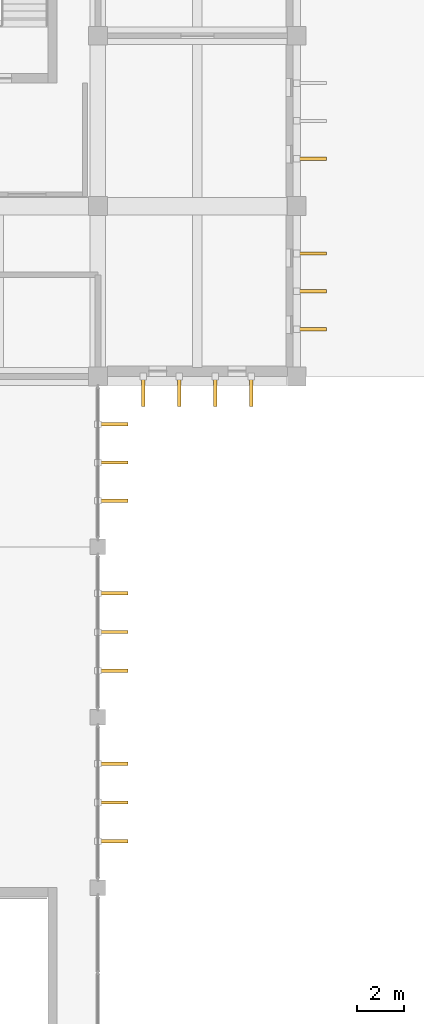
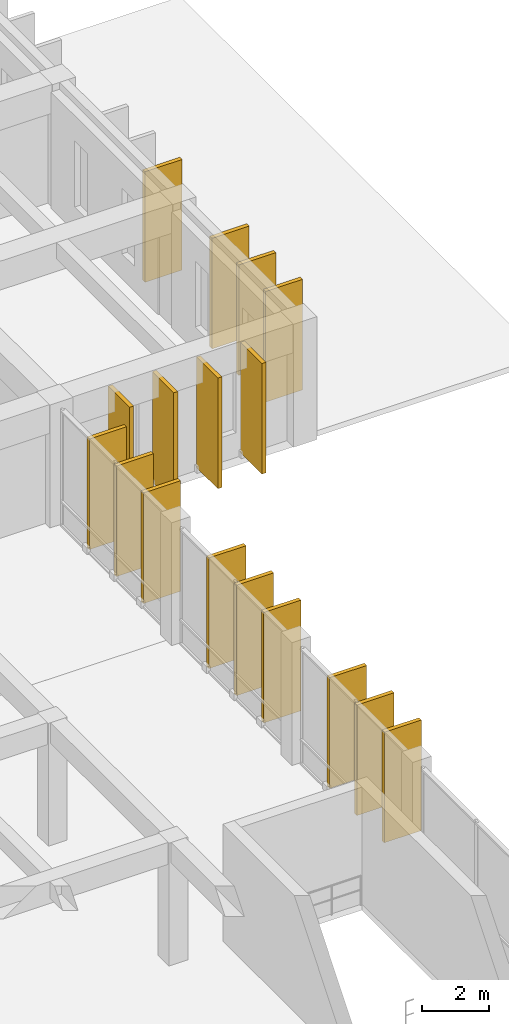
# One storey, part 38 of 40: 17 shading devices.
"""IFC4 building model written with IfcOpenShell, lengths in metres."""

from ifc_helpers import new_model, si_unit, direction, frame, origin, origin_2d, place, context, subcontext, project, spatial, rectangle, extrude, material, type_object, element, save


model = new_model("IFC4")

# Units and contexts
model_context = context("Model", 3, precision=1e-05, world=origin(), true_north=direction((0.0, 1.0)))
body_context = subcontext(model_context, "Body", "Model", "MODEL_VIEW")
ifc_project = project(units=[si_unit("LENGTHUNIT", "METRE"), si_unit("AREAUNIT", "SQUARE_METRE"), si_unit("VOLUMEUNIT", "CUBIC_METRE"), si_unit("PLANEANGLEUNIT", "RADIAN"), si_unit("MASSUNIT", "GRAM", prefix="KILO")], contexts=[model_context])

# Site, building, storey
site_placement = place(None, origin())
site = spatial("IfcSite", under=ifc_project, at=site_placement, CompositionType="ELEMENT")
building_placement = place(site_placement, origin())
building = spatial("IfcBuilding", under=site, at=building_placement, Name="Kenerak Square Central Library", CompositionType="ELEMENT")
storey_placement = place(building_placement, frame((0.0, 0.0, 14.39990234375)))
storey = spatial("IfcBuildingStorey", under=building, at=storey_placement, Name="L03", CompositionType="ELEMENT", Elevation=14.39990234375)

# Shading devices
ifc_material = material(Name="White precast concrete C40/50", Category="concrete")
shading_device_type = type_object("IfcShadingDeviceType", Name="Precast Vertical Solar Fin SF-1280 C40/50", PredefinedType="USERDEFINED", material=ifc_material)
for number, where, z_axis, x_axis, name in (
    (1, (126.219970703125, 98.0, 0.10009765625), (0.0, 0.0, 1.0), (0.0, -1.0, 0.0), "Precast Solar Fin FIN-01 L03 0268"),
    (2, (126.219970703125, 94.0, 0.10009765625), (0.0, 0.0, 1.0), (0.0, -1.0, 0.0), "Precast Solar Fin FIN-01 L03 0269"),
    (3, (126.219970703125, 92.39990234375, 0.10009765625), (0.0, 0.0, 1.0), (0.0, -1.0, 0.0), "Precast Solar Fin FIN-01 L03 0270"),
    (4, (126.219970703125, 90.800048828125, 0.10009765625), (0.0, 0.0, 1.0), (0.0, -1.0, 0.0), "Precast Solar Fin FIN-01 L03 0271"),
    (5, (123.679931640625, 88.179931640625, 0.10009765625), (0.0, 0.0, 1.0), (-1.0, 0.0, 0.0), "Precast Solar Fin FIN-01 L03 0272"),
    (6, (122.159912109375, 88.179931640625, 0.10009765625), (0.0, 0.0, 1.0), (-1.0, 0.0, 0.0), "Precast Solar Fin FIN-01 L03 0273"),
    (7, (120.639892578125, 88.179931640625, 0.10009765625), (0.0, 0.0, 1.0), (-1.0, 0.0, 0.0), "Precast Solar Fin FIN-01 L03 0274"),
    (8, (119.1201171875, 88.179931640625, 0.10009765625), (0.0, 0.0, 1.0), (-1.0, 0.0, 0.0), "Precast Solar Fin FIN-01 L03 0275"),
    (9, (117.820068359375, 86.78125, 0.10009765625), (0.0, 0.0, 1.0), (0.0, -1.0, 0.0), "Precast Solar Fin FIN-01 L03 0276"),
    (10, (117.820068359375, 85.16259765625, 0.10009765625), (0.0, 0.0, 1.0), (0.0, -1.0, 0.0), "Precast Solar Fin FIN-01 L03 0277"),
    (11, (117.820068359375, 83.543701171875, 0.10009765625), (0.0, 0.0, 1.0), (0.0, -1.0, 0.0), "Precast Solar Fin FIN-01 L03 0278"),
    (12, (117.820068359375, 79.637451171875, 0.10009765625), (0.0, 0.0, 1.0), (0.0, -1.0, 0.0), "Precast Solar Fin FIN-01 L03 0279"),
    (13, (117.820068359375, 78.0, 0.10009765625), (0.0, 0.0, 1.0), (0.0, -1.0, 0.0), "Precast Solar Fin FIN-01 L03 0280"),
    (14, (117.820068359375, 76.362548828125, 0.10009765625), (0.0, 0.0, 1.0), (0.0, -1.0, 0.0), "Precast Solar Fin FIN-01 L03 0281"),
    (15, (117.820068359375, 72.4375, 0.10009765625), (0.0, 0.0, 1.0), (0.0, -1.0, 0.0), "Precast Solar Fin FIN-01 L03 0282"),
    (16, (117.820068359375, 70.800048828125, 0.10009765625), (0.0, 0.0, 1.0), (0.0, -1.0, 0.0), "Precast Solar Fin FIN-01 L03 0283"),
    (17, (117.820068359375, 69.16259765625, 0.10009765625), (0.0, 0.0, 1.0), (0.0, -1.0, 0.0), "Precast Solar Fin FIN-01 L03 0284"),
):
    element("IfcShadingDevice", number, at=place(storey_placement, frame(where, z_axis=z_axis, x_axis=x_axis)), inside=storey, type_object=shading_device_type, Name=name, ObjectType="FIN", PredefinedType="USERDEFINED", context=body_context, shape_type="SweptSolid", body=[
        extrude(rectangle(XDim=0.139892578125, YDim=1.280029296875, at=origin_2d()), origin(), (0.0, 0.0, 1.0), 4.030029296875),
    ])

save(model, "model.ifc")
